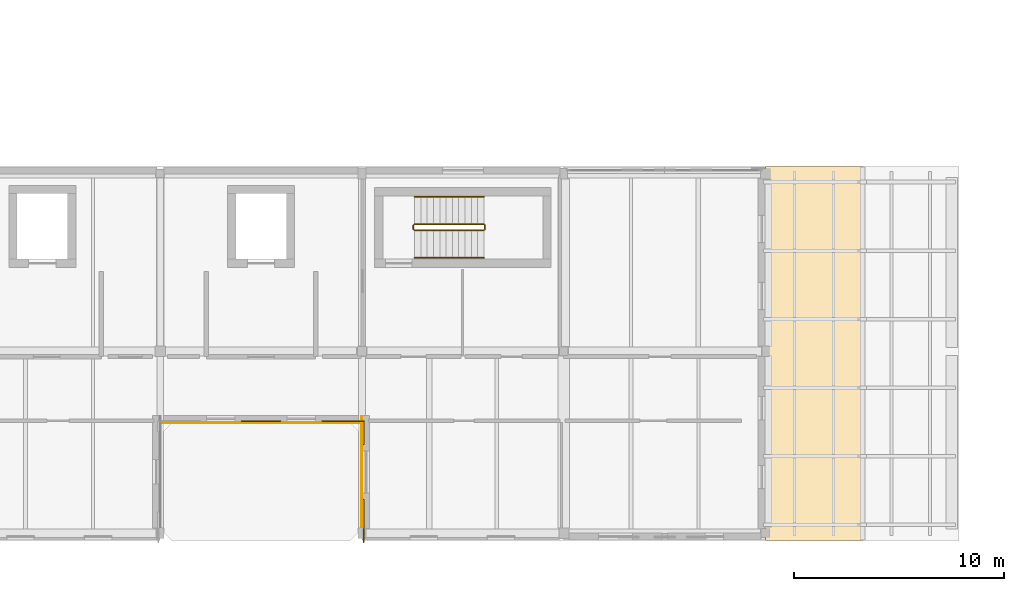
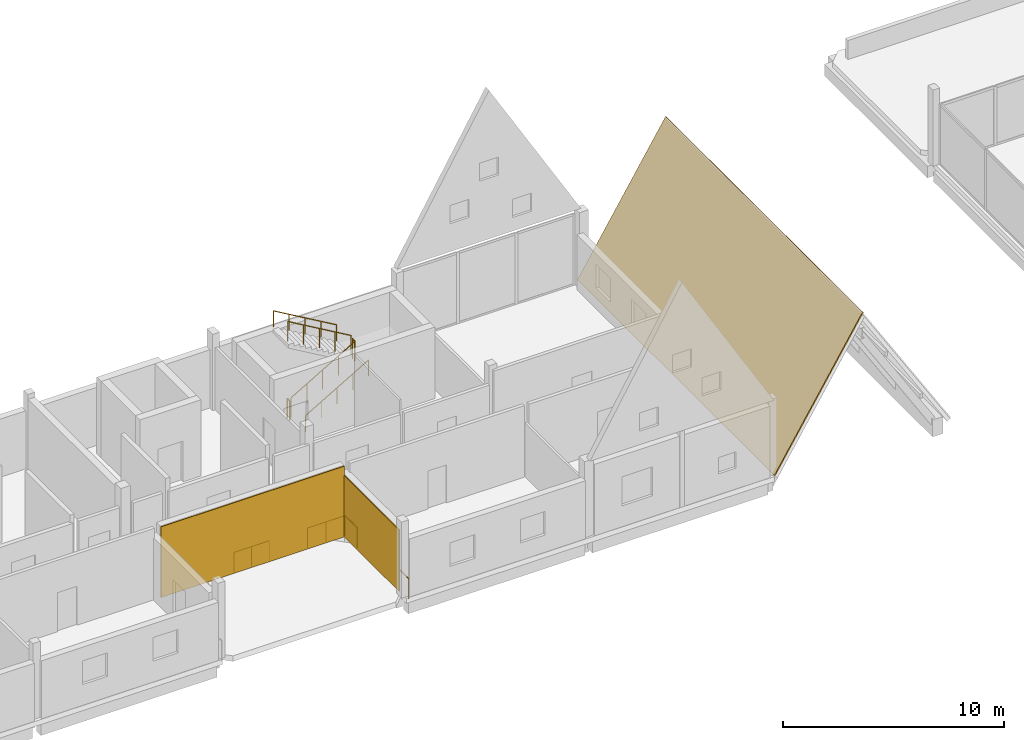
# One storey, part 21 of 23: 10 railings, 3 coverings.
"""IFC4 building model written with IfcOpenShell, lengths in metres."""

from ifc_helpers import new_model, si_unit, direction, frame, origin, origin_2d, place, context, subcontext, project, spatial, polyline, rectangle, circle, outline, extrude, material, layer, layer_set, type_object, element, save


model = new_model("IFC4")

# Units and contexts
model_context = context("Model", 3, precision=1e-05, world=origin(), true_north=direction((0.0, 1.0)))
body_context = subcontext(model_context, "Body", "Model", "MODEL_VIEW")
ifc_project = project(units=[si_unit("LENGTHUNIT", "METRE"), si_unit("AREAUNIT", "SQUARE_METRE"), si_unit("VOLUMEUNIT", "CUBIC_METRE"), si_unit("PLANEANGLEUNIT", "RADIAN"), si_unit("MASSUNIT", "GRAM", prefix="KILO")], contexts=[model_context])

# Site, building, storey
site_placement = place(None, origin())
site = spatial("IfcSite", under=ifc_project, at=site_placement, CompositionType="ELEMENT")
building_placement = place(site_placement, origin())
building = spatial("IfcBuilding", under=site, at=building_placement, Name="Birchvale Park Specialist Clinic", CompositionType="ELEMENT")
storey_placement = place(building_placement, frame((0.0, 0.0, 18.0)))
storey = spatial("IfcBuildingStorey", under=building, at=storey_placement, Name="L04", CompositionType="ELEMENT", Elevation=18.0)

# Coverings
ifc_material_1 = material(Name="Nordic larch vertical rainscreen cladding")
ifc_layer_1 = layer(ifc_material_1, 0.044921875)
ifc_layer_set_1 = layer_set([ifc_layer_1], Name="Nordic larch vertical rainscreen cladding")
covering_type_1 = type_object("IfcCoveringType", Name="COV-CL1", PredefinedType="CLADDING", material=ifc_layer_set_1)
covering_1_placement = place(storey_placement, frame((85.39990234375, 22.3974609375, 0.02001953125), z_axis=(0.0, 0.0, 1.0), x_axis=(1.0, 0.0, 0.0)))
element("IfcCovering", 1, at=covering_1_placement, inside=storey, type_object=covering_type_1, Name="V4 L04 Nordic larch cladding 20", PredefinedType="CLADDING", context=body_context, shape_type="SweptSolid", body=[
    extrude(rectangle(XDim=9.56005859375, YDim=0.044921875, at=origin_2d()), origin(), (0.0, 0.0, 1.0), 3.89990234375),
])
covering_2_placement = place(storey_placement, frame((90.197509765625, 20.0625, 0.02001953125), z_axis=(0.0, 0.0, 1.0), x_axis=(0.0, -1.0, 0.0)))
element("IfcCovering", 2, at=covering_2_placement, inside=storey, type_object=covering_type_1, Name="V4 L04 Nordic larch cladding 21", PredefinedType="CLADDING", context=body_context, shape_type="SweptSolid", body=[
    extrude(rectangle(XDim=5.31494140625, YDim=0.044921875, at=origin_2d()), origin(), (0.0, 0.0, 1.0), 3.385009765625),
])
ifc_material_2 = material(Name="Standing-seam titanium-zinc roofing")
ifc_layer_2 = layer(ifc_material_2, 0.06005859375)
ifc_layer_set_2 = layer_set([ifc_layer_2], Name="Standing-seam titanium-zinc roofing")
covering_type_2 = type_object("IfcCoveringType", Name="COV-RF1", PredefinedType="ROOFING", material=ifc_layer_set_2)
covering_3_placement = place(storey_placement, frame((109.39990234375, 16.800048828125, 0.06005859375), z_axis=(-0.849277176149, 0.0, 0.527947230386), x_axis=(0.527947230386, 0.0, 0.849277176149)))
element("IfcCovering", 3, at=covering_3_placement, inside=storey, type_object=covering_type_2, Name="L04 standing-seam zinc roof V4-B7 W", PredefinedType="ROOFING", context=body_context, shape_type="SweptSolid", body=[
    extrude(outline(polyline([(0.0, 0.0), (8.71317698340126, 0.0), (8.71317698340126, 17.800048828125), (0.0, 17.800048828125), (0.0, 0.0)])), origin(), (0.0, 0.0, -1.0), 0.06005859375),
])

# Railings
ifc_material_3 = material(Name="Brushed stainless steel and laminated glass balustrade", Category="steel")
railing_type_1 = type_object("IfcRailingType", Name="RL-BAL1", PredefinedType="BALUSTRADE", material=ifc_material_3)
railing_1_placement = place(storey_placement, frame((90.280029296875, 16.719970703125, 0.0)))
element("IfcRailing", 4, at=railing_1_placement, inside=storey, type_object=railing_type_1, Name="V4 L04 atrium void balustrade 39", PredefinedType="BALUSTRADE", context=body_context, shape_type="SweptSolid", body=[
    extrude(circle(Radius=0.02392578125, at=origin_2d()), frame((0.0, 0.0, 1.09619140625), z_axis=(0.0, 1.0, 0.0), x_axis=(-1.0, 0.0, 0.0)), (0.0, 0.0, 1.0), 2.0224609375),
    extrude(circle(Radius=0.02099609375, at=origin_2d()), origin(), (0.0, 0.0, 1.0), 1.072021484375),
    extrude(circle(Radius=0.02099609375, at=origin_2d()), frame((0.0, 1.01123046875, 0.0)), (0.0, 0.0, 1.0), 1.072021484375),
    extrude(circle(Radius=0.02099609375, at=origin_2d()), frame((0.0, 2.0224609375, 0.0)), (0.0, 0.0, 1.0), 1.072021484375),
])
railing_2_placement = place(storey_placement, frame((90.280029296875, 21.382568359375, 0.0)))
element("IfcRailing", 5, at=railing_2_placement, inside=storey, type_object=railing_type_1, Name="V4 L04 atrium void balustrade 40", PredefinedType="BALUSTRADE", context=body_context, shape_type="SweptSolid", body=[
    extrude(circle(Radius=0.02392578125, at=origin_2d()), frame((0.0, 0.0, 1.09619140625), z_axis=(0.0, 1.0, 0.0), x_axis=(-1.0, 0.0, 0.0)), (0.0, 0.0, 1.0), 1.097412109375),
    extrude(circle(Radius=0.02099609375, at=origin_2d()), origin(), (0.0, 0.0, 1.0), 1.072021484375),
    extrude(circle(Radius=0.02099609375, at=origin_2d()), frame((0.0, 1.097412109375, 0.0)), (0.0, 0.0, 1.0), 1.072021484375),
])
railing_3_placement = place(storey_placement, frame((90.280029296875, 22.47998046875, 0.0)))
element("IfcRailing", 6, at=railing_3_placement, inside=storey, type_object=railing_type_1, Name="V4 L04 atrium void balustrade 41", PredefinedType="BALUSTRADE", context=body_context, shape_type="SweptSolid", body=[
    extrude(circle(Radius=0.02392578125, at=origin_2d()), frame((0.0, 0.0, 1.09619140625), z_axis=(-1.0, 0.0, 0.0), x_axis=(0.0, -1.0, 0.0)), (0.0, 0.0, 1.0), 1.965087890625),
    extrude(circle(Radius=0.02099609375, at=origin_2d()), origin(), (0.0, 0.0, 1.0), 1.072021484375),
    extrude(circle(Radius=0.02099609375, at=origin_2d()), frame((-0.982421875, 0.0, 0.0)), (0.0, 0.0, 1.0), 1.072021484375),
    extrude(circle(Radius=0.02099609375, at=origin_2d()), frame((-1.965087890625, 0.0, 0.0)), (0.0, 0.0, 1.0), 1.072021484375),
])
railing_4_placement = place(storey_placement, frame((86.324951171875, 22.47998046875, 0.0)))
element("IfcRailing", 7, at=railing_4_placement, inside=storey, type_object=railing_type_1, Name="V4 L04 atrium void balustrade 42", PredefinedType="BALUSTRADE", context=body_context, shape_type="SweptSolid", body=[
    extrude(circle(Radius=0.02392578125, at=origin_2d()), frame((0.0, 0.0, 1.09619140625), z_axis=(-1.0, 0.0, 0.0), x_axis=(0.0, -1.0, 0.0)), (0.0, 0.0, 1.0), 1.849853515625),
    extrude(circle(Radius=0.02099609375, at=origin_2d()), origin(), (0.0, 0.0, 1.0), 1.072021484375),
    extrude(circle(Radius=0.02099609375, at=origin_2d()), frame((-0.9248046875, 0.0, 0.0)), (0.0, 0.0, 1.0), 1.072021484375),
    extrude(circle(Radius=0.02099609375, at=origin_2d()), frame((-1.849853515625, 0.0, 0.0)), (0.0, 0.0, 1.0), 1.072021484375),
])
ifc_material_4 = material(Name="Brushed stainless steel guard railing", Category="steel")
railing_type_2 = type_object("IfcRailingType", Name="RL-GRD1", PredefinedType="GUARDRAIL", material=ifc_material_4)
railing_5_placement = place(storey_placement, frame((92.699951171875, 31.550048828125, 0.175048828125)))
element("IfcRailing", 8, at=railing_5_placement, inside=storey, type_object=railing_type_2, Name="L04 ST5 stair guard 1", PredefinedType="GUARDRAIL", context=body_context, shape_type="SweptSolid", body=[
    extrude(circle(Radius=0.02392578125, at=origin_2d()), frame((0.0, 0.0, 1.076171875), z_axis=(0.863776583165, 0.0, 0.503874998761), x_axis=(0.0, 1.0, 0.0)), (0.0, 0.0, 1.0), 3.820556640625),
    extrude(circle(Radius=0.02099609375, at=origin_2d()), origin(), (0.0, 0.0, 1.0), 1.052001953125),
    extrude(circle(Radius=0.02099609375, at=origin_2d()), frame((0.824951171875, 0.0, 0.481201171875)), (0.0, 0.0, 1.0), 1.052001953125),
    extrude(circle(Radius=0.02099609375, at=origin_2d()), frame((1.64990234375, 0.0, 0.96240234375)), (0.0, 0.0, 1.0), 1.052001953125),
    extrude(circle(Radius=0.02099609375, at=origin_2d()), frame((2.47509765625, 0.0, 1.44384765625)), (0.0, 0.0, 1.0), 1.052001953125),
    extrude(circle(Radius=0.02099609375, at=origin_2d()), frame((3.300048828125, 0.0, 1.925048828125)), (0.0, 0.0, 1.0), 1.052001953125),
])
railing_6_placement = place(storey_placement, frame((96.050048828125, 31.60009765625, 2.10009765625)))
element("IfcRailing", 9, at=railing_6_placement, inside=storey, type_object=railing_type_2, Name="L04 ST5 stair guard 2", PredefinedType="GUARDRAIL", context=body_context, shape_type="SweptSolid", body=[
    extrude(circle(Radius=0.02392578125, at=origin_2d()), frame((0.0, 0.0, 1.076171875), z_axis=(0.0, 1.0, 0.0), x_axis=(-1.0, 0.0, 0.0)), (0.0, 0.0, 1.0), 0.199951171875),
    extrude(circle(Radius=0.02099609375, at=origin_2d()), origin(), (0.0, 0.0, 1.0), 1.052001953125),
    extrude(circle(Radius=0.02099609375, at=origin_2d()), frame((0.0, 0.199951171875, 0.0)), (0.0, 0.0, 1.0), 1.052001953125),
])
railing_7_placement = place(storey_placement, frame((96.0, 31.85009765625, 2.27490234375)))
element("IfcRailing", 10, at=railing_7_placement, inside=storey, type_object=railing_type_2, Name="L04 ST5 stair guard 3", PredefinedType="GUARDRAIL", context=body_context, shape_type="SweptSolid", body=[
    extrude(circle(Radius=0.02392578125, at=origin_2d()), frame((0.0, 0.0, 1.076171875), z_axis=(-0.863776583165, 0.0, 0.503874998761), x_axis=(0.0, -1.0, 0.0)), (0.0, 0.0, 1.0), 3.820556640625),
    extrude(circle(Radius=0.02099609375, at=origin_2d()), origin(), (0.0, 0.0, 1.0), 1.052001953125),
    extrude(circle(Radius=0.02099609375, at=origin_2d()), frame((-0.824951171875, 0.0, 0.481201171875)), (0.0, 0.0, 1.0), 1.052001953125),
    extrude(circle(Radius=0.02099609375, at=origin_2d()), frame((-1.64990234375, 0.0, 0.96240234375)), (0.0, 0.0, 1.0), 1.052001953125),
    extrude(circle(Radius=0.02099609375, at=origin_2d()), frame((-2.47509765625, 0.0, 1.44384765625)), (0.0, 0.0, 1.0), 1.052001953125),
    extrude(circle(Radius=0.02099609375, at=origin_2d()), frame((-3.300048828125, 0.0, 1.925048828125)), (0.0, 0.0, 1.0), 1.052001953125),
])
railing_8_placement = place(storey_placement, frame((92.64990234375, 31.60009765625, 0.0)))
element("IfcRailing", 11, at=railing_8_placement, inside=storey, type_object=railing_type_2, Name="L04 ST5 stair guard 4", PredefinedType="GUARDRAIL", context=body_context, shape_type="SweptSolid", body=[
    extrude(circle(Radius=0.02392578125, at=origin_2d()), frame((0.0, 0.0, 1.076171875), z_axis=(0.0, 1.0, 0.0), x_axis=(-1.0, 0.0, 0.0)), (0.0, 0.0, 1.0), 0.199951171875),
    extrude(circle(Radius=0.02099609375, at=origin_2d()), origin(), (0.0, 0.0, 1.0), 1.052001953125),
    extrude(circle(Radius=0.02099609375, at=origin_2d()), frame((0.0, 0.199951171875, 0.0)), (0.0, 0.0, 1.0), 1.052001953125),
])
ifc_material_5 = material(Name="Anodised aluminium handrail", Category="aluminium")
railing_type_3 = type_object("IfcRailingType", Name="RL-HND1", PredefinedType="HANDRAIL", material=ifc_material_5)
railing_9_placement = place(storey_placement, frame((92.699951171875, 30.25, 0.175048828125)))
element("IfcRailing", 12, at=railing_9_placement, inside=storey, type_object=railing_type_3, Name="L04 ST5 stair handrail 1", PredefinedType="HANDRAIL", context=body_context, shape_type="SweptSolid", body=[
    extrude(circle(Radius=0.02392578125, at=origin_2d()), frame((0.0, 0.0, 0.8759765625), z_axis=(0.863776583165, 0.0, 0.503874998761), x_axis=(0.0, 1.0, 0.0)), (0.0, 0.0, 1.0), 3.820556640625),
    extrude(circle(Radius=0.02099609375, at=origin_2d()), origin(), (0.0, 0.0, 1.0), 0.851806640625),
    extrude(circle(Radius=0.02099609375, at=origin_2d()), frame((0.824951171875, 0.0, 0.481201171875)), (0.0, 0.0, 1.0), 0.851806640625),
    extrude(circle(Radius=0.02099609375, at=origin_2d()), frame((1.64990234375, 0.0, 0.96240234375)), (0.0, 0.0, 1.0), 0.851806640625),
    extrude(circle(Radius=0.02099609375, at=origin_2d()), frame((2.47509765625, 0.0, 1.44384765625)), (0.0, 0.0, 1.0), 0.851806640625),
    extrude(circle(Radius=0.02099609375, at=origin_2d()), frame((3.300048828125, 0.0, 1.925048828125)), (0.0, 0.0, 1.0), 0.851806640625),
])
railing_10_placement = place(storey_placement, frame((96.0, 33.14990234375, 2.27490234375)))
element("IfcRailing", 13, at=railing_10_placement, inside=storey, type_object=railing_type_3, Name="L04 ST5 stair handrail 2", PredefinedType="HANDRAIL", context=body_context, shape_type="SweptSolid", body=[
    extrude(circle(Radius=0.02392578125, at=origin_2d()), frame((0.0, 0.0, 0.8759765625), z_axis=(-0.863776583165, 0.0, 0.503874998761), x_axis=(0.0, -1.0, 0.0)), (0.0, 0.0, 1.0), 3.820556640625),
    extrude(circle(Radius=0.02099609375, at=origin_2d()), origin(), (0.0, 0.0, 1.0), 0.851806640625),
    extrude(circle(Radius=0.02099609375, at=origin_2d()), frame((-0.824951171875, 0.0, 0.481201171875)), (0.0, 0.0, 1.0), 0.851806640625),
    extrude(circle(Radius=0.02099609375, at=origin_2d()), frame((-1.64990234375, 0.0, 0.96240234375)), (0.0, 0.0, 1.0), 0.851806640625),
    extrude(circle(Radius=0.02099609375, at=origin_2d()), frame((-2.47509765625, 0.0, 1.44384765625)), (0.0, 0.0, 1.0), 0.851806640625),
    extrude(circle(Radius=0.02099609375, at=origin_2d()), frame((-3.300048828125, 0.0, 1.925048828125)), (0.0, 0.0, 1.0), 0.851806640625),
])

save(model, "model.ifc")
